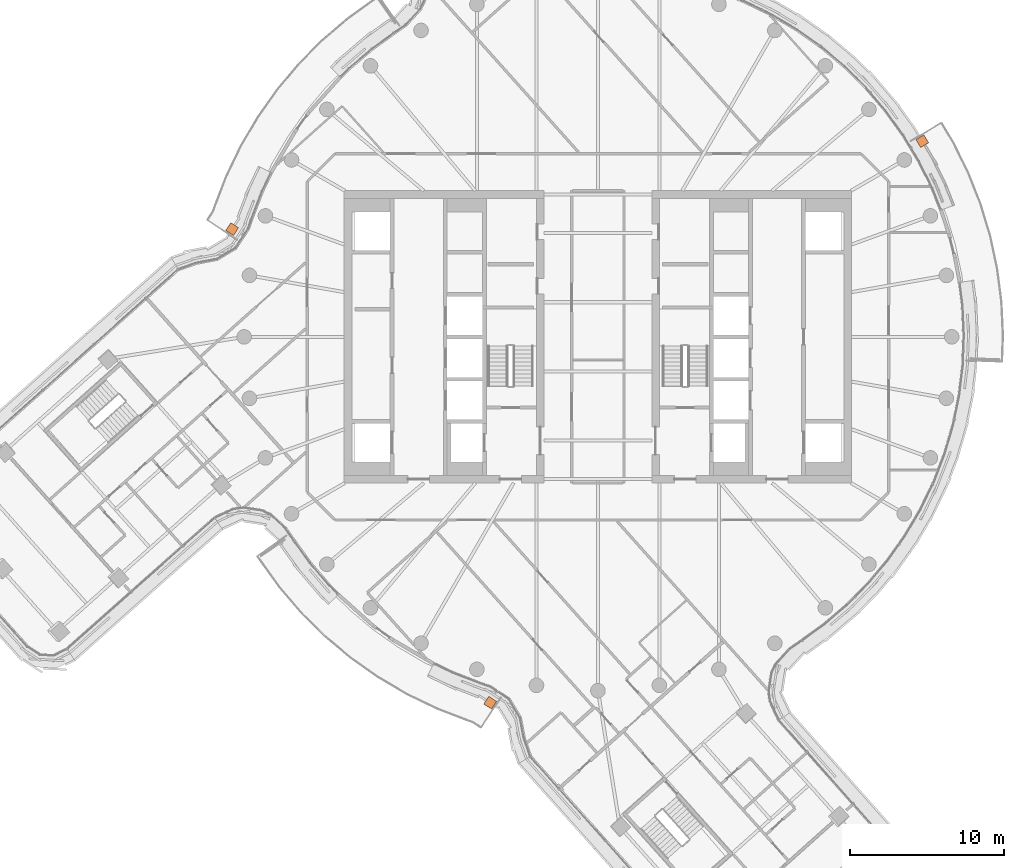
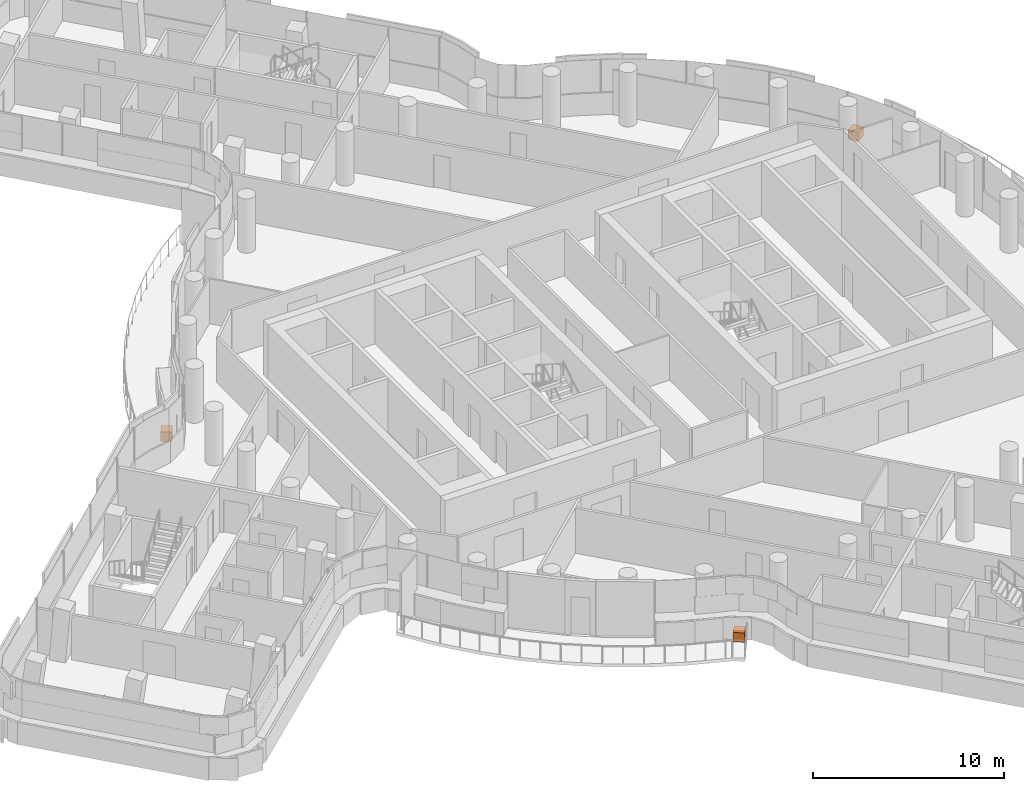
# One storey, part 33 of 33: 3 proxies.
"""IFC4 building model written with IfcOpenShell, lengths in metres."""

from ifc_helpers import new_model, si_unit, direction, frame, origin, origin_2d, place, context, subcontext, project, spatial, rectangle, extrude, material, type_object, element, save


model = new_model("IFC4")

# Units and contexts
model_context = context("Model", 3, precision=1e-05, world=origin(), true_north=direction((0.0, 1.0)))
body_context = subcontext(model_context, "Body", "Model", "MODEL_VIEW")
ifc_project = project(units=[si_unit("LENGTHUNIT", "METRE"), si_unit("AREAUNIT", "SQUARE_METRE"), si_unit("VOLUMEUNIT", "CUBIC_METRE"), si_unit("PLANEANGLEUNIT", "RADIAN"), si_unit("MASSUNIT", "GRAM", prefix="KILO")], contexts=[model_context])

# Site, building, storey
site_placement = place(None, origin())
site = spatial("IfcSite", under=ifc_project, at=site_placement, CompositionType="ELEMENT")
building_placement = place(site_placement, origin())
building = spatial("IfcBuilding", under=site, at=building_placement, Name="Tamarind Cross Interchange Tower", CompositionType="ELEMENT")
storey_placement = place(building_placement, frame((0.0, 0.0, 186.10009765625)))
storey = spatial("IfcBuildingStorey", under=building, at=storey_placement, Name="L46", CompositionType="ELEMENT", Elevation=186.10009765625)

# Proxies
ifc_material = material(Name="Concrete C30", Category="concrete")
building_element_proxy_type = type_object("IfcBuildingElementProxyType", Name="Planter", PredefinedType="USERDEFINED", material=ifc_material)
proxy_1_placement = place(storey_placement, origin())
element("IfcBuildingElementProxy", 1, at=proxy_1_placement, inside=storey, type_object=building_element_proxy_type, Name="PLT-L46-BAL02", ObjectType="Planter", PredefinedType="USERDEFINED", context=body_context, shape_type="SweptSolid", body=[
    extrude(rectangle(XDim=0.60009765625, YDim=0.60009765625, at=origin_2d()), frame((-7.00439453125, -23.777587890625, -0.000244140625), z_axis=(0.0, 0.0, 1.0), x_axis=(0.83630937517, -0.548257812532, 0.0)), (0.0, 0.0, 1.0), 0.60009765625),
])
proxy_2_placement = place(storey_placement, origin())
element("IfcBuildingElementProxy", 2, at=proxy_2_placement, inside=storey, type_object=building_element_proxy_type, Name="PLT-L46-BAL06", ObjectType="Planter", PredefinedType="USERDEFINED", context=body_context, shape_type="SweptSolid", body=[
    extrude(rectangle(XDim=0.60009765625, YDim=0.60009765625, at=origin_2d()), frame((21.0849609375, 12.721435546875, -0.000244140625), z_axis=(0.0, 0.0, 1.0), x_axis=(-0.515577308909, 0.856843065292, 0.0)), (0.0, 0.0, 1.0), 0.60009765625),
])
proxy_3_placement = place(storey_placement, origin())
element("IfcBuildingElementProxy", 3, at=proxy_3_placement, inside=storey, type_object=building_element_proxy_type, Name="PLT-L46-BAL10", ObjectType="Planter", PredefinedType="USERDEFINED", context=body_context, shape_type="SweptSolid", body=[
    extrude(rectangle(XDim=0.60009765625, YDim=0.60009765625, at=origin_2d()), frame((-23.777587890625, 7.00439453125, -0.000244140625), z_axis=(0.0, 0.0, 1.0), x_axis=(-0.548257812532, -0.83630937517, 0.0)), (0.0, 0.0, 1.0), 0.60009765625),
])

save(model, "model.ifc")
